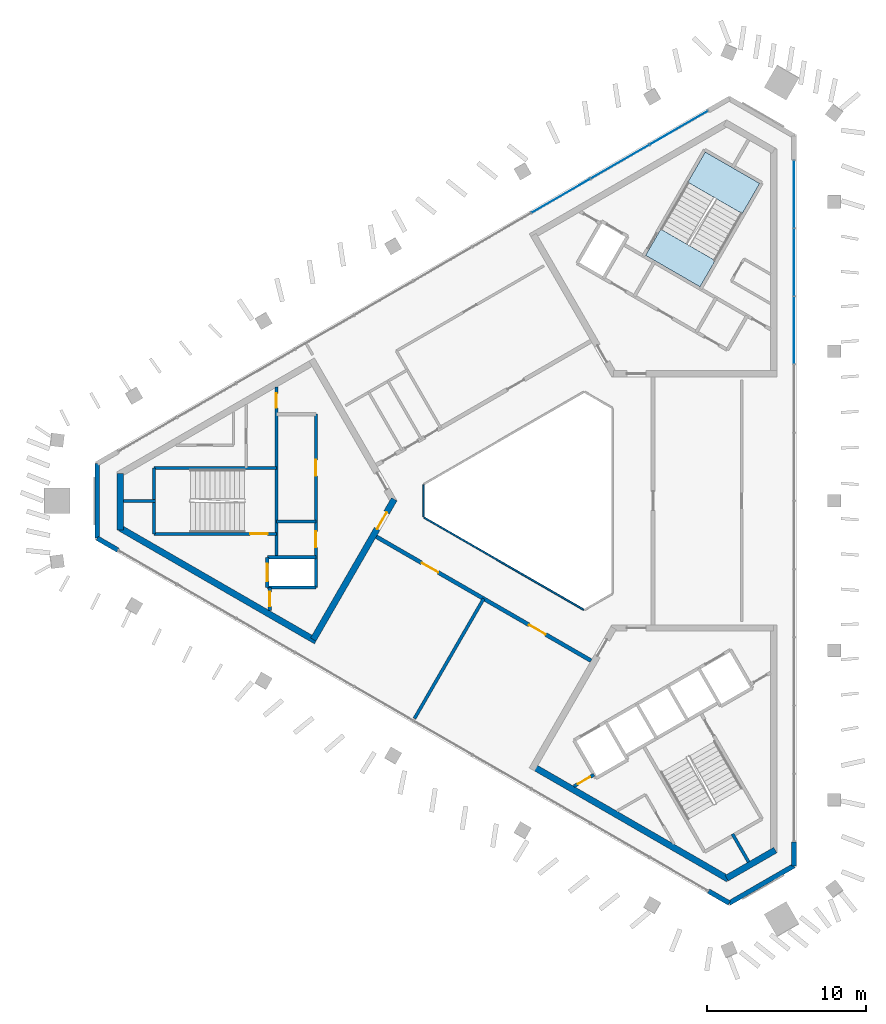
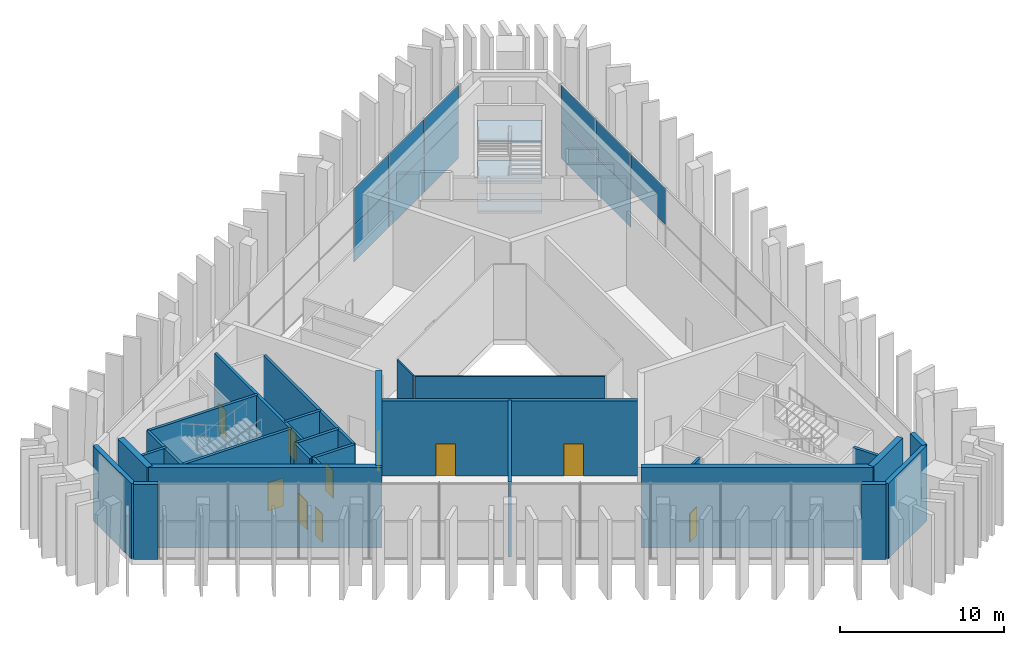
# One storey, part 7 of 12: 27 walls, 11 plates, 10 doors, 3 slabs, 10 openings, 3 elements without a shape of their own.
"""IFC4 building model written with IfcOpenShell, lengths in metres."""

from ifc_helpers import new_model, si_unit, direction, frame, frame_2d, origin, origin_2d, place, context, subcontext, project, spatial, polyline, rectangle, outline, extrude, material, layer, layer_set, type_object, element, fill, aggregate, save


model = new_model("IFC4")

# Units and contexts
model_context = context("Model", 3, precision=1e-05, world=origin(), true_north=direction((0.0, 1.0)))
body_context = subcontext(model_context, "Body", "Model", "MODEL_VIEW")
ifc_project = project(units=[si_unit("LENGTHUNIT", "METRE"), si_unit("AREAUNIT", "SQUARE_METRE"), si_unit("VOLUMEUNIT", "CUBIC_METRE"), si_unit("PLANEANGLEUNIT", "RADIAN"), si_unit("MASSUNIT", "GRAM", prefix="KILO")], contexts=[model_context])

# Site, building, storey
site_placement = place(None, origin())
site = spatial("IfcSite", under=ifc_project, at=site_placement, CompositionType="ELEMENT")
building_placement = place(site_placement, origin())
building = spatial("IfcBuilding", under=site, at=building_placement, Name="Jabali Bay Hotel Tower and Convention Centre", CompositionType="ELEMENT")
storey_placement = place(building_placement, frame((0.0, 0.0, 304.800048828125)))
storey = spatial("IfcBuildingStorey", under=building, at=storey_placement, Name="L75", CompositionType="ELEMENT", Elevation=304.800048828125)

# Curtain wall, plates
ifc_material_1 = material(Name="Aluminium and glass", Category="aluminium")
ifc_layer_1 = layer(ifc_material_1, 0.159912109375)
ifc_layer_set_1 = layer_set([ifc_layer_1], Name="Aluminium and glass")
curtain_wall_type = type_object("IfcCurtainWallType", Name="CW3 curtain wall", PredefinedType="NOTDEFINED", material=ifc_layer_set_1)
curtain_wall_1_placement = place(storey_placement, origin())
curtain_wall_1 = element("IfcCurtainWall", 1, at=curtain_wall_1_placement, inside=storey, type_object=curtain_wall_type, Name="CW3 curtain wall east face L75", PredefinedType="NOTDEFINED")
ifc_material_2 = material(Name="Glass", Category="glass")
ifc_layer_2 = layer(ifc_material_2, 0.028076171875)
ifc_layer_set_2 = layer_set([ifc_layer_2], Name="Glass")
plate_type = type_object("IfcPlateType", Name="CW3 glass panel 28", PredefinedType="CURTAIN_PANEL", material=ifc_layer_set_2)
plate_1_placement = place(storey_placement, frame((90.9521484375, 99.27880859375, 0.06005859375), z_axis=(0.0, 0.0, 1.0), x_axis=(0.0, -1.0, 0.0)))
plate_1 = element("IfcPlate", 2, at=plate_1_placement, type_object=plate_type, Name="CW3 panel 1.1", PredefinedType="CURTAIN_PANEL", context=body_context, shape_type="SweptSolid", body=[
    extrude(rectangle(XDim=4.197509765625, YDim=0.028076171875, at=origin_2d()), origin(), (0.0, 0.0, 1.0), 2.7099609375),
])
plate_2_placement = place(storey_placement, frame((90.9521484375, 99.27880859375, 2.830078125), z_axis=(0.0, 0.0, 1.0), x_axis=(0.0, -1.0, 0.0)))
plate_2 = element("IfcPlate", 3, at=plate_2_placement, type_object=plate_type, Name="CW3 panel 1.2", PredefinedType="CURTAIN_PANEL", context=body_context, shape_type="SweptSolid", body=[
    extrude(rectangle(XDim=4.197509765625, YDim=0.028076171875, at=origin_2d()), origin(), (0.0, 0.0, 1.0), 2.7099609375),
])
plate_3_placement = place(storey_placement, frame((90.9521484375, 95.00634765625, 0.06005859375), z_axis=(0.0, 0.0, 1.0), x_axis=(0.0, -1.0, 0.0)))
plate_3 = element("IfcPlate", 4, at=plate_3_placement, type_object=plate_type, Name="CW3 panel 2.1", PredefinedType="CURTAIN_PANEL", context=body_context, shape_type="SweptSolid", body=[
    extrude(rectangle(XDim=4.2275390625, YDim=0.028076171875, at=origin_2d()), origin(), (0.0, 0.0, 1.0), 2.7099609375),
])
plate_4_placement = place(storey_placement, frame((90.9521484375, 95.00634765625, 2.830078125), z_axis=(0.0, 0.0, 1.0), x_axis=(0.0, -1.0, 0.0)))
plate_4 = element("IfcPlate", 5, at=plate_4_placement, type_object=plate_type, Name="CW3 panel 2.2", PredefinedType="CURTAIN_PANEL", context=body_context, shape_type="SweptSolid", body=[
    extrude(rectangle(XDim=4.2275390625, YDim=0.028076171875, at=origin_2d()), origin(), (0.0, 0.0, 1.0), 2.7099609375),
])
plate_5_placement = place(storey_placement, frame((90.9521484375, 90.71875, 2.830078125), z_axis=(0.0, 0.0, 1.0), x_axis=(0.0, -1.0, 0.0)))
plate_5 = element("IfcPlate", 6, at=plate_5_placement, type_object=plate_type, Name="CW3 panel 3.2", PredefinedType="CURTAIN_PANEL", context=body_context, shape_type="SweptSolid", body=[
    extrude(rectangle(XDim=4.2275390625, YDim=0.028076171875, at=origin_2d()), origin(), (0.0, 0.0, 1.0), 2.7099609375),
])
aggregate(curtain_wall_1, [plate_1, plate_2, plate_3, plate_4, plate_5])

curtain_wall_2_placement = place(storey_placement, origin())
curtain_wall_2 = element("IfcCurtainWall", 7, at=curtain_wall_2_placement, inside=storey, type_object=curtain_wall_type, Name="CW3 curtain wall north-west face L75", PredefinedType="NOTDEFINED")
plate_6_placement = place(storey_placement, frame((76.306640625, 99.17431640625, 0.06005859375), z_axis=(0.0, 0.0, 1.0), x_axis=(0.866025396079, 0.500000013347, 0.0)))
plate_6 = element("IfcPlate", 8, at=plate_6_placement, type_object=plate_type, Name="CW3 panel 8.1", PredefinedType="CURTAIN_PANEL", context=body_context, shape_type="SweptSolid", body=[
    extrude(rectangle(XDim=4.2275390625, YDim=0.028076171875, at=origin_2d()), origin(), (0.0, 0.0, 1.0), 2.7099609375),
])
plate_7_placement = place(storey_placement, frame((76.306640625, 99.17431640625, 2.830078125), z_axis=(0.0, 0.0, 1.0), x_axis=(0.866025396079, 0.500000013347, 0.0)))
plate_7 = element("IfcPlate", 9, at=plate_7_placement, type_object=plate_type, Name="CW3 panel 8.2", PredefinedType="CURTAIN_PANEL", context=body_context, shape_type="SweptSolid", body=[
    extrude(rectangle(XDim=4.2275390625, YDim=0.028076171875, at=origin_2d()), origin(), (0.0, 0.0, 1.0), 2.7099609375),
])
plate_8_placement = place(storey_placement, frame((80.019775390625, 101.318115234375, 0.06005859375), z_axis=(0.0, 0.0, 1.0), x_axis=(0.866025396079, 0.500000013347, 0.0)))
plate_8 = element("IfcPlate", 10, at=plate_8_placement, type_object=plate_type, Name="CW3 panel 9.1", PredefinedType="CURTAIN_PANEL", context=body_context, shape_type="SweptSolid", body=[
    extrude(rectangle(XDim=4.2275390625, YDim=0.028076171875, at=origin_2d()), origin(), (0.0, 0.0, 1.0), 2.7099609375),
])
plate_9_placement = place(storey_placement, frame((80.019775390625, 101.318115234375, 2.830078125), z_axis=(0.0, 0.0, 1.0), x_axis=(0.866025396079, 0.500000013347, 0.0)))
plate_9 = element("IfcPlate", 11, at=plate_9_placement, type_object=plate_type, Name="CW3 panel 9.2", PredefinedType="CURTAIN_PANEL", context=body_context, shape_type="SweptSolid", body=[
    extrude(rectangle(XDim=4.2275390625, YDim=0.028076171875, at=origin_2d()), origin(), (0.0, 0.0, 1.0), 2.7099609375),
])
plate_10_placement = place(storey_placement, frame((83.719970703125, 103.454345703125, 0.06005859375), z_axis=(0.0, 0.0, 1.0), x_axis=(0.866025396079, 0.500000013347, 0.0)))
plate_10 = element("IfcPlate", 12, at=plate_10_placement, type_object=plate_type, Name="CW3 panel 10.1", PredefinedType="CURTAIN_PANEL", context=body_context, shape_type="SweptSolid", body=[
    extrude(rectangle(XDim=4.197509765625, YDim=0.028076171875, at=origin_2d()), origin(), (0.0, 0.0, 1.0), 2.7099609375),
])
plate_11_placement = place(storey_placement, frame((83.719970703125, 103.454345703125, 2.830078125), z_axis=(0.0, 0.0, 1.0), x_axis=(0.866025396079, 0.500000013347, 0.0)))
plate_11 = element("IfcPlate", 13, at=plate_11_placement, type_object=plate_type, Name="CW3 panel 10.2", PredefinedType="CURTAIN_PANEL", context=body_context, shape_type="SweptSolid", body=[
    extrude(rectangle(XDim=4.197509765625, YDim=0.028076171875, at=origin_2d()), origin(), (0.0, 0.0, 1.0), 2.7099609375),
])
aggregate(curtain_wall_2, [plate_6, plate_7, plate_8, plate_9, plate_10, plate_11])

# Stair, slabs
ifc_material_3 = material(Name="Concrete C40", Category="concrete")
stair_type = type_object("IfcStairType", Name="Exit stair 1900", PredefinedType="HALF_TURN_STAIR", material=ifc_material_3)
stair_placement = place(storey_placement, origin())
stair = element("IfcStair", 14, at=stair_placement, inside=storey, type_object=stair_type, Name="L75 Exit Stair 2", PredefinedType="HALF_TURN_STAIR")
ifc_layer_3 = layer(ifc_material_3, 0.199951171875)
ifc_layer_set_3 = layer_set([ifc_layer_3], Name="Concrete C40")
slab_type = type_object("IfcSlabType", Name="Stair landing 200", PredefinedType="LANDING", material=ifc_layer_set_3)
slab_1_placement = place(storey_placement, frame((0.0, 0.0, 1.300048828125)))
slab_1 = element("IfcSlab", 15, at=slab_1_placement, type_object=slab_type, Name="ST2 landing 1", PredefinedType="LANDING", context=body_context, shape_type="SweptSolid", body=[
    extrude(outline(polyline([(87.703857421875, 98.0537109375), (88.80029296875, 99.952880859375), (85.379638671875, 101.927978515625), (84.283203125, 100.02880859375), (87.703857421875, 98.0537109375)])), origin(), (0.0, 0.0, 1.0), 0.199951171875),
])
slab_2_placement = place(storey_placement, frame((0.0, 0.0, 2.800048828125)))
slab_2 = element("IfcSlab", 16, at=slab_2_placement, type_object=slab_type, Name="ST2 landing 2", PredefinedType="LANDING", context=body_context, shape_type="SweptSolid", body=[
    extrude(outline(polyline([(85.05029296875, 93.457763671875), (86.001953125, 95.10595703125), (82.5810546875, 97.080810546875), (81.629638671875, 95.432861328125), (85.05029296875, 93.457763671875)])), origin(), (0.0, 0.0, 1.0), 0.199951171875),
])
slab_3_placement = place(storey_placement, frame((0.0, 0.0, 4.300048828125)))
slab_3 = element("IfcSlab", 17, at=slab_3_placement, type_object=slab_type, Name="ST2 landing 3", PredefinedType="LANDING", context=body_context, shape_type="SweptSolid", body=[
    extrude(outline(polyline([(87.703857421875, 98.0537109375), (88.80029296875, 99.952880859375), (85.379638671875, 101.927978515625), (84.283203125, 100.02880859375), (87.703857421875, 98.0537109375)])), origin(), (0.0, 0.0, 1.0), 0.199951171875),
])
aggregate(stair, [slab_1, slab_2, slab_3])

# Walls
ifc_material_4 = material(Name="Fire-resistant glazing", Category="glass")
ifc_layer_4 = layer(ifc_material_4, 0.10009765625)
ifc_layer_set_4 = layer_set([ifc_layer_4], Name="Fire-resistant glazing")
wall_type_1 = type_object("IfcWallType", Name="Atrium glazed screen 100", PredefinedType="PARTITIONING", material=ifc_layer_set_4)
wall_1_placement = place(storey_placement, frame((67.672119140625, 81.0, 0.0), z_axis=(0.0, 0.0, 1.0), x_axis=(0.0, -1.0, 0.0)))
element("IfcWall", 18, at=wall_1_placement, inside=storey, type_object=wall_type_1, Name="Atrium screen 4 L75", PredefinedType="PARTITIONING", context=body_context, shape_type="SweptSolid", body=[
    extrude(rectangle(XDim=2.0, YDim=0.10009765625, at=frame_2d((1.0, 0.0))), origin(), (0.0, 0.0, 1.0), 5.599853515625),
])
wall_2_placement = place(storey_placement, frame((67.7021484375, 78.947998046875, 0.0), z_axis=(0.0, 0.0, 1.0), x_axis=(0.866026658274, -0.499997827154, 0.0)))
element("IfcWall", 19, at=wall_2_placement, inside=storey, type_object=wall_type_1, Name="Atrium screen 5 L75", PredefinedType="PARTITIONING", context=body_context, shape_type="SweptSolid", body=[
    extrude(rectangle(XDim=11.58837890625, YDim=0.10009765625, at=frame_2d((5.794189453125, 0.0))), origin(), (0.0, 0.0, 1.0), 5.599853515625),
])
ifc_layer_5 = layer(ifc_material_3, 0.199951171875)
ifc_layer_set_5 = layer_set([ifc_layer_5], Name="Concrete C40")
wall_type_2 = type_object("IfcWallType", Name="Core partition wall 200", PredefinedType="PARTITIONING", material=ifc_layer_set_5)
wall_3_placement = place(storey_placement, frame((50.820068359375, 80.0, 0.0), z_axis=(0.0, 0.0, 1.0), x_axis=(-1.0, 0.0, 0.0)))
element("IfcWall", 20, at=wall_3_placement, inside=storey, type_object=wall_type_2, Name="Core wall 0.3 L75", PredefinedType="PARTITIONING", context=body_context, shape_type="SweptSolid", body=[
    extrude(rectangle(XDim=2.023193359375, YDim=0.199951171875, at=frame_2d((1.01171875, 0.0))), origin(), (0.0, 0.0, 1.0), 5.599853515625),
])

# Wall, opening, door
wall_4_placement = place(storey_placement, frame((58.0, 74.550048828125, 0.0), z_axis=(0.0, 0.0, 1.0), x_axis=(0.0, -1.0, 0.0)))
wall_4 = element("IfcWall", 21, at=wall_4_placement, inside=storey, type_object=wall_type_2, Name="Core wall 0.10 L75", PredefinedType="PARTITIONING", context=body_context, shape_type="SweptSolid", body=[
    extrude(rectangle(XDim=1.455078125, YDim=0.199951171875, at=frame_2d((0.7275390625, 0.0))), origin(), (0.0, 0.0, 1.0), 5.599853515625),
])
opening_1_placement = place(wall_4_placement, frame((0.277587890625, 0.0, 0.0)))
opening_1 = element("IfcOpeningElement", 22, at=opening_1_placement, cuts=wall_4, Name="Opening D1665", PredefinedType="OPENING", context=body_context, shape_type="SweptSolid", body=[
    extrude(rectangle(XDim=0.89990234375, YDim=2.10009765625, at=frame_2d((0.449951171875, 1.050048828125))), frame((0.0, 0.1103515625, 0.0), z_axis=(0.0, -1.0, 0.0), x_axis=(1.0, 0.0, 0.0)), (0.0, 0.0, 1.0), 0.220947265625),
])
ifc_material_5 = material(Name="Fire-rated steel door", Category="steel")
door_type_1 = type_object("IfcDoorType", Name="Vestibule fire door 900 x 2100", OperationType="NOTDEFINED", PredefinedType="NOTDEFINED", material=ifc_material_5)
door_1_placement = place(opening_1_placement, origin())
door_1 = element("IfcDoor", 23, at=door_1_placement, inside=storey, type_object=door_type_1, Name="Vestibule fire door D1665", OperationType="SINGLE_SWING_LEFT", OverallHeight=2.10009765625, OverallWidth=0.89990234375, PredefinedType="NOTDEFINED", context=body_context, shape_type="SweptSolid", body=[
    extrude(rectangle(XDim=0.89990234375, YDim=2.10009765625, at=frame_2d((0.449951171875, 1.050048828125))), frame((0.0, 0.02490234375, 0.0), z_axis=(0.0, -1.0, 0.0), x_axis=(1.0, 0.0, 0.0)), (0.0, 0.0, 1.0), 0.050048828125),
])
fill(opening_1, door_1)

# Wall
wall_5_placement = place(storey_placement, frame((87.090087890625, 59.0595703125, 0.0), z_axis=(0.0, 0.0, 1.0), x_axis=(0.499941815747, -0.866058993873, 0.0)))
element("IfcWall", 24, at=wall_5_placement, inside=storey, type_object=wall_type_2, Name="Core wall 2.5 L75", PredefinedType="PARTITIONING", context=body_context, shape_type="SweptSolid", body=[
    extrude(rectangle(XDim=2.023193359375, YDim=0.199951171875, at=frame_2d((1.01171875, 0.0))), origin(), (0.0, 0.0, 1.0), 5.599853515625),
])

# Wall, opening, door
wall_6_placement = place(storey_placement, frame((77.119873046875, 62.055908203125, 0.0), z_axis=(0.0, 0.0, 1.0), x_axis=(0.866054810376, 0.49994906283, 0.0)))
wall_6 = element("IfcWall", 25, at=wall_6_placement, inside=storey, type_object=wall_type_2, Name="Core wall 2.12 L75", PredefinedType="PARTITIONING", context=body_context, shape_type="SweptSolid", body=[
    extrude(rectangle(XDim=1.461181640625, YDim=0.199951171875, at=frame_2d((0.73046875, 0.0))), origin(), (0.0, 0.0, 1.0), 5.599853515625),
])
opening_2_placement = place(wall_6_placement, frame((0.280517578125, 0.0, 0.0)))
opening_2 = element("IfcOpeningElement", 26, at=opening_2_placement, cuts=wall_6, Name="Opening D1681", PredefinedType="OPENING", context=body_context, shape_type="SweptSolid", body=[
    extrude(rectangle(XDim=0.89990234375, YDim=2.10009765625, at=frame_2d((0.449951171875, 1.050048828125))), frame((0.0, 0.1103515625, 0.0), z_axis=(0.0, -1.0, 0.0), x_axis=(1.0, 0.0, 0.0)), (0.0, 0.0, 1.0), 0.220947265625),
])
door_2_placement = place(opening_2_placement, origin())
door_2 = element("IfcDoor", 27, at=door_2_placement, inside=storey, type_object=door_type_1, Name="Vestibule fire door D1681", OperationType="SINGLE_SWING_LEFT", OverallHeight=2.10009765625, OverallWidth=0.89990234375, PredefinedType="NOTDEFINED", context=body_context, shape_type="SweptSolid", body=[
    extrude(rectangle(XDim=0.89990234375, YDim=2.10009765625, at=frame_2d((0.449951171875, 1.050048828125))), frame((0.0, 0.02490234375, 0.0), z_axis=(0.0, -1.0, 0.0), x_axis=(1.0, 0.0, 0.0)), (0.0, 0.0, 1.0), 0.050048828125),
])
fill(opening_2, door_2)

# Walls
ifc_layer_6 = layer(ifc_material_3, 0.199951171875)
ifc_layer_set_6 = layer_set([ifc_layer_6], Name="Concrete C40")
wall_type_3 = type_object("IfcWallType", Name="Core stair wall 200", PredefinedType="SOLIDWALL", material=ifc_layer_set_6)
wall_7_placement = place(storey_placement, frame((58.419921875, 82.074951171875, 0.0), z_axis=(0.0, 0.0, 1.0), x_axis=(-1.0, 0.0, 0.0)))
element("IfcWall", 28, at=wall_7_placement, inside=storey, type_object=wall_type_3, Name="Core wall 0.2 L75", PredefinedType="SOLIDWALL", context=body_context, shape_type="SweptSolid", body=[
    extrude(rectangle(XDim=7.699951171875, YDim=0.199951171875, at=frame_2d((3.85009765625, 0.0))), origin(), (0.0, 0.0, 1.0), 5.599853515625),
])
wall_8_placement = place(storey_placement, frame((60.89990234375, 78.699951171875, 0.0), z_axis=(0.0, 0.0, 1.0), x_axis=(-1.0, 0.0, 0.0)))
element("IfcWall", 29, at=wall_8_placement, inside=storey, type_object=wall_type_3, Name="Core wall 0.4 L75", PredefinedType="SOLIDWALL", context=body_context, shape_type="SweptSolid", body=[
    extrude(rectangle(XDim=2.47998046875, YDim=0.199951171875, at=frame_2d((1.239990234375, 0.0))), origin(), (0.0, 0.0, 1.0), 5.599853515625),
])

# Wall, opening, door
wall_9_placement = place(storey_placement, frame((58.419921875, 77.925048828125, 0.0), z_axis=(0.0, 0.0, 1.0), x_axis=(-1.0, 0.0, 0.0)))
wall_9 = element("IfcWall", 30, at=wall_9_placement, inside=storey, type_object=wall_type_3, Name="Core wall 0.5 L75", PredefinedType="SOLIDWALL", context=body_context, shape_type="SweptSolid", body=[
    extrude(rectangle(XDim=7.699951171875, YDim=0.199951171875, at=frame_2d((3.85009765625, 0.0))), origin(), (0.0, 0.0, 1.0), 5.599853515625),
])
opening_3_placement = place(wall_9_placement, frame((0.550048828125, 0.0, 0.0)))
opening_3 = element("IfcOpeningElement", 31, at=opening_3_placement, cuts=wall_9, Name="Opening D1667", PredefinedType="OPENING", context=body_context, shape_type="SweptSolid", body=[
    extrude(rectangle(XDim=1.10009765625, YDim=2.10009765625, at=frame_2d((0.550048828125, 1.050048828125))), frame((0.0, 0.1103515625, 0.0), z_axis=(0.0, -1.0, 0.0), x_axis=(1.0, 0.0, 0.0)), (0.0, 0.0, 1.0), 0.220947265625),
])
door_type_2 = type_object("IfcDoorType", Name="Stair fire door 1100 x 2100", OperationType="NOTDEFINED", PredefinedType="NOTDEFINED", material=ifc_material_5)
door_3_placement = place(opening_3_placement, origin())
door_3 = element("IfcDoor", 32, at=door_3_placement, inside=storey, type_object=door_type_2, Name="Stair fire door D1667", OperationType="SINGLE_SWING_RIGHT", OverallHeight=2.10009765625, OverallWidth=1.10009765625, PredefinedType="NOTDEFINED", context=body_context, shape_type="SweptSolid", body=[
    extrude(rectangle(XDim=1.10009765625, YDim=2.10009765625, at=frame_2d((0.550048828125, 1.050048828125))), frame((0.0, 0.02490234375, 0.0), z_axis=(0.0, -1.0, 0.0), x_axis=(1.0, 0.0, 0.0)), (0.0, 0.0, 1.0), 0.050048828125),
])
fill(opening_3, door_3)

# Walls
for number, where, z_axis, x_axis, name in (
    (33, (60.89990234375, 76.449951171875, 0.0), (0.0, 0.0, 1.0), (-1.0, 0.0, 0.0), "Core wall 0.6 L75"),
    (34, (60.89990234375, 74.550048828125, 0.0), (0.0, 0.0, 1.0), (-1.0, 0.0, 0.0), "Core wall 0.7 L75"),
):
    element("IfcWall", number, at=place(storey_placement, frame(where, z_axis=z_axis, x_axis=x_axis)), inside=storey, type_object=wall_type_3, Name=name, PredefinedType="SOLIDWALL", context=body_context, shape_type="SweptSolid", body=[
        extrude(rectangle(XDim=3.0498046875, YDim=0.199951171875, at=frame_2d((1.52490234375, 0.0))), origin(), (0.0, 0.0, 1.0), 5.599853515625),
    ])

# Wall, openings, doors
wall_10_placement = place(storey_placement, frame((60.89990234375, 85.449951171875, 0.0), z_axis=(0.0, 0.0, 1.0), x_axis=(0.0, -1.0, 0.0)))
wall_10 = element("IfcWall", 35, at=wall_10_placement, inside=storey, type_object=wall_type_3, Name="Core wall 0.8 L75", PredefinedType="SOLIDWALL", context=body_context, shape_type="SweptSolid", body=[
    extrude(rectangle(XDim=10.89990234375, YDim=0.199951171875, at=frame_2d((5.449951171875, 0.0))), origin(), (0.0, 0.0, 1.0), 5.599853515625),
])
opening_4_placement = place(wall_10_placement, frame((2.875, 0.0, 0.0)))
opening_4 = element("IfcOpeningElement", 36, at=opening_4_placement, cuts=wall_10, Name="Opening D1662", PredefinedType="OPENING", context=body_context, shape_type="SweptSolid", body=[
    extrude(rectangle(XDim=1.0, YDim=2.10009765625, at=frame_2d((0.5, 1.050048828125))), frame((0.0, 0.1103515625, 0.0), z_axis=(0.0, -1.0, 0.0), x_axis=(1.0, 0.0, 0.0)), (0.0, 0.0, 1.0), 0.220947265625),
])
opening_5_placement = place(wall_10_placement, frame((7.375, 0.0, 0.0)))
opening_5 = element("IfcOpeningElement", 37, at=opening_5_placement, cuts=wall_10, Name="Opening D1663", PredefinedType="OPENING", context=body_context, shape_type="SweptSolid", body=[
    extrude(rectangle(XDim=1.0, YDim=2.10009765625, at=frame_2d((0.5, 1.050048828125))), frame((0.0, 0.1103515625, 0.0), z_axis=(0.0, -1.0, 0.0), x_axis=(1.0, 0.0, 0.0)), (0.0, 0.0, 1.0), 0.220947265625),
])
door_type_3 = type_object("IfcDoorType", Name="Core room door 1000 x 2100", OperationType="NOTDEFINED", PredefinedType="NOTDEFINED", material=ifc_material_5)
door_4_placement = place(opening_4_placement, origin())
door_4 = element("IfcDoor", 38, at=door_4_placement, inside=storey, type_object=door_type_3, Name="Core room door D1662", OperationType="SINGLE_SWING_RIGHT", OverallHeight=2.10009765625, OverallWidth=1.0, PredefinedType="NOTDEFINED", context=body_context, shape_type="SweptSolid", body=[
    extrude(rectangle(XDim=1.0, YDim=2.10009765625, at=frame_2d((0.5, 1.050048828125))), frame((0.0, 0.02490234375, 0.0), z_axis=(0.0, -1.0, 0.0), x_axis=(1.0, 0.0, 0.0)), (0.0, 0.0, 1.0), 0.050048828125),
])
fill(opening_4, door_4)
door_5_placement = place(opening_5_placement, origin())
door_5 = element("IfcDoor", 39, at=door_5_placement, inside=storey, type_object=door_type_3, Name="Core room door D1663", OperationType="SINGLE_SWING_RIGHT", OverallHeight=2.10009765625, OverallWidth=1.0, PredefinedType="NOTDEFINED", context=body_context, shape_type="SweptSolid", body=[
    extrude(rectangle(XDim=1.0, YDim=2.10009765625, at=frame_2d((0.5, 1.050048828125))), frame((0.0, 0.02490234375, 0.0), z_axis=(0.0, -1.0, 0.0), x_axis=(1.0, 0.0, 0.0)), (0.0, 0.0, 1.0), 0.050048828125),
])
fill(opening_5, door_5)

# Wall, opening, door
wall_11_placement = place(storey_placement, frame((58.419921875, 87.147705078125, 0.0), z_axis=(0.0, 0.0, 1.0), x_axis=(0.0, -1.0, 0.0)))
wall_11 = element("IfcWall", 40, at=wall_11_placement, inside=storey, type_object=wall_type_3, Name="Core wall 0.9 L75", PredefinedType="SOLIDWALL", context=body_context, shape_type="SweptSolid", body=[
    extrude(rectangle(XDim=10.69775390625, YDim=0.199951171875, at=frame_2d((5.348876953125, 0.0))), origin(), (0.0, 0.0, 1.0), 5.599853515625),
])
opening_6_placement = place(wall_11_placement, frame((0.398681640625, 0.0, 0.0)))
opening_6 = element("IfcOpeningElement", 41, at=opening_6_placement, cuts=wall_11, Name="Opening D1666", PredefinedType="OPENING", context=body_context, shape_type="SweptSolid", body=[
    extrude(rectangle(XDim=0.89990234375, YDim=2.10009765625, at=frame_2d((0.449951171875, 1.050048828125))), frame((0.0, 0.1103515625, 0.0), z_axis=(0.0, -1.0, 0.0), x_axis=(1.0, 0.0, 0.0)), (0.0, 0.0, 1.0), 0.220947265625),
])
door_6_placement = place(opening_6_placement, origin())
door_6 = element("IfcDoor", 42, at=door_6_placement, inside=storey, type_object=door_type_1, Name="Vestibule fire door D1666", OperationType="SINGLE_SWING_LEFT", OverallHeight=2.10009765625, OverallWidth=0.89990234375, PredefinedType="NOTDEFINED", context=body_context, shape_type="SweptSolid", body=[
    extrude(rectangle(XDim=0.89990234375, YDim=2.10009765625, at=frame_2d((0.449951171875, 1.050048828125))), frame((0.0, 0.02490234375, 0.0), z_axis=(0.0, -1.0, 0.0), x_axis=(1.0, 0.0, 0.0)), (0.0, 0.0, 1.0), 0.050048828125),
])
fill(opening_6, door_6)

wall_12_placement = place(storey_placement, frame((57.85009765625, 76.449951171875, 0.0), z_axis=(0.0, 0.0, 1.0), x_axis=(0.0, -1.0, 0.0)))
wall_12 = element("IfcWall", 43, at=wall_12_placement, inside=storey, type_object=wall_type_3, Name="Core wall 0.11 L75", PredefinedType="SOLIDWALL", context=body_context, shape_type="SweptSolid", body=[
    extrude(rectangle(XDim=1.89990234375, YDim=0.199951171875, at=frame_2d((0.949951171875, 0.0))), origin(), (0.0, 0.0, 1.0), 5.599853515625),
])
opening_7_placement = place(wall_12_placement, frame((0.39990234375, 0.0, 0.0)))
opening_7 = element("IfcOpeningElement", 44, at=opening_7_placement, cuts=wall_12, Name="Opening LD5-L75", PredefinedType="OPENING", context=body_context, shape_type="SweptSolid", body=[
    extrude(rectangle(XDim=1.10009765625, YDim=2.10009765625, at=frame_2d((0.550048828125, 1.050048828125))), frame((0.0, 0.1103515625, 0.0), z_axis=(0.0, -1.0, 0.0), x_axis=(1.0, 0.0, 0.0)), (0.0, 0.0, 1.0), 0.220947265625),
])
ifc_material_6 = material(Name="Stainless steel landing door", Category="steel")
door_type_4 = type_object("IfcDoorType", Name="Landing door 1100 x 2100", OperationType="NOTDEFINED", PredefinedType="NOTDEFINED", material=ifc_material_6)
door_7_placement = place(opening_7_placement, origin())
door_7 = element("IfcDoor", 45, at=door_7_placement, inside=storey, type_object=door_type_4, Name="Landing doors LD5-L75", OperationType="SLIDING_TO_RIGHT", OverallHeight=2.10009765625, OverallWidth=1.10009765625, PredefinedType="NOTDEFINED", context=body_context, shape_type="SweptSolid", body=[
    extrude(rectangle(XDim=1.10009765625, YDim=2.10009765625, at=frame_2d((0.550048828125, 1.050048828125))), frame((0.0, 0.02490234375, 0.0), z_axis=(0.0, -1.0, 0.0), x_axis=(1.0, 0.0, 0.0)), (0.0, 0.0, 1.0), 0.050048828125),
])
fill(opening_7, door_7)

# Walls
wall_13_placement = place(storey_placement, frame((50.719970703125, 82.074951171875, 0.0), z_axis=(0.0, 0.0, 1.0), x_axis=(0.0, -1.0, 0.0)))
element("IfcWall", 46, at=wall_13_placement, inside=storey, type_object=wall_type_3, Name="Core wall 0.14 L75", PredefinedType="SOLIDWALL", context=body_context, shape_type="SweptSolid", body=[
    extrude(rectangle(XDim=4.14990234375, YDim=0.199951171875, at=frame_2d((2.074951171875, 0.0))), origin(), (0.0, 0.0, 1.0), 5.599853515625),
])
ifc_material_7 = material(Name="Concrete C60", Category="concrete")
ifc_layer_7 = layer(ifc_material_7, 0.39990234375)
ifc_layer_set_7 = layer_set([ifc_layer_7], Name="Concrete C60")
wall_type_4 = type_object("IfcWallType", Name="Core wall 400", PredefinedType="SHEAR", material=ifc_layer_set_7)
wall_14_placement = place(storey_placement, frame((48.596923828125, 81.707275390625, 0.0), z_axis=(0.0, 0.0, 1.0), x_axis=(0.0, -1.0, 0.0)))
element("IfcWall", 47, at=wall_14_placement, inside=storey, type_object=wall_type_4, Name="Core wall 1.3 L75", PredefinedType="SHEAR", context=body_context, shape_type="SweptSolid", body=[
    extrude(rectangle(XDim=3.530029296875, YDim=0.39990234375, at=frame_2d((1.76513671875, 0.0))), origin(), (0.0, 0.0, 1.0), 6.0),
])
wall_15_placement = place(storey_placement, frame((48.596923828125, 78.292724609375, 0.0), z_axis=(0.0, 0.0, 1.0), x_axis=(0.866026024469, -0.499998924941, 0.0)))
element("IfcWall", 48, at=wall_15_placement, inside=storey, type_object=wall_type_4, Name="Core wall 1.4 L75", PredefinedType="SHEAR", context=body_context, shape_type="SweptSolid", body=[
    extrude(rectangle(XDim=14.2177734375, YDim=0.39990234375, at=frame_2d((7.10888671875, 0.0))), origin(), (0.0, 0.0, 1.0), 6.0),
])

# Wall, opening, door
wall_16_placement = place(storey_placement, frame((60.73681640625, 71.283935546875, 0.0), z_axis=(0.0, 0.0, 1.0), x_axis=(0.50000547566, 0.866022242388, 0.0)))
wall_16 = element("IfcWall", 49, at=wall_16_placement, inside=storey, type_object=wall_type_4, Name="Core wall 1.5 L75", PredefinedType="SHEAR", context=body_context, shape_type="SweptSolid", body=[
    extrude(rectangle(XDim=10.18017578125, YDim=0.39990234375, at=frame_2d((5.090087890625, 0.0))), origin(), (0.0, 0.0, 1.0), 6.0),
])
opening_8_placement = place(wall_16_placement, frame((8.030029296875, 0.0, 0.0)))
opening_8 = element("IfcOpeningElement", 50, at=opening_8_placement, cuts=wall_16, Name="Opening D1661", PredefinedType="OPENING", context=body_context, shape_type="SweptSolid", body=[
    extrude(rectangle(XDim=1.199951171875, YDim=2.10009765625, at=frame_2d((0.60009765625, 1.050048828125))), frame((0.0, 0.21044921875, 0.0), z_axis=(0.0, -1.0, 0.0), x_axis=(1.0, 0.0, 0.0)), (0.0, 0.0, 1.0), 0.4208984375),
])
door_type_5 = type_object("IfcDoorType", Name="Corridor end fire door 1200 x 2100", OperationType="NOTDEFINED", PredefinedType="NOTDEFINED", material=ifc_material_5)
door_8_placement = place(opening_8_placement, origin())
door_8 = element("IfcDoor", 51, at=door_8_placement, inside=storey, type_object=door_type_5, Name="Corridor end fire door D1661", OperationType="SINGLE_SWING_LEFT", OverallHeight=2.10009765625, OverallWidth=1.199951171875, PredefinedType="NOTDEFINED", context=body_context, shape_type="SweptSolid", body=[
    extrude(rectangle(XDim=1.199951171875, YDim=2.10009765625, at=frame_2d((0.60009765625, 1.050048828125))), frame((0.0, 0.02490234375, 0.0), z_axis=(0.0, -1.0, 0.0), x_axis=(1.0, 0.0, 0.0)), (0.0, 0.0, 1.0), 0.050048828125),
])
fill(opening_8, door_8)

# Walls
wall_17_placement = place(storey_placement, frame((74.583251953125, 63.28955078125, 0.0), z_axis=(0.0, 0.0, 1.0), x_axis=(0.866024494188, -0.500001575463, 0.0)))
element("IfcWall", 52, at=wall_17_placement, inside=storey, type_object=wall_type_4, Name="Core wall 3.2 L75", PredefinedType="SHEAR", context=body_context, shape_type="SweptSolid", body=[
    extrude(rectangle(XDim=14.13330078125, YDim=0.39990234375, at=frame_2d((7.066650390625, 0.0))), origin(), (0.0, 0.0, 1.0), 6.0),
])
wall_18_placement = place(storey_placement, frame((86.72314453125, 56.28076171875, 0.0), z_axis=(0.0, 0.0, 1.0), x_axis=(0.866025485263, 0.499999858875, 0.0)))
element("IfcWall", 53, at=wall_18_placement, inside=storey, type_object=wall_type_4, Name="Core wall 3.3 L75", PredefinedType="SHEAR", context=body_context, shape_type="SweptSolid", body=[
    extrude(rectangle(XDim=3.52978515625, YDim=0.39990234375, at=frame_2d((1.764892578125, 0.0))), origin(), (0.0, 0.0, 1.0), 6.0),
])

# Wall, openings, doors
ifc_layer_8 = layer(ifc_material_7, 0.25)
ifc_layer_set_8 = layer_set([ifc_layer_8], Name="Concrete C60")
wall_type_5 = type_object("IfcWallType", Name="Corridor wall 250", PredefinedType="SHEAR", material=ifc_layer_set_8)
wall_19_placement = place(storey_placement, frame((64.699951171875, 77.748291015625, 0.0), z_axis=(0.0, 0.0, 1.0), x_axis=(0.866026492143, -0.499998114903, 0.0)))
wall_19 = element("IfcWall", 54, at=wall_19_placement, inside=storey, type_object=wall_type_5, Name="Corridor wall 3 L75", PredefinedType="SHEAR", context=body_context, shape_type="SweptSolid", body=[
    extrude(rectangle(XDim=15.58837890625, YDim=0.25, at=frame_2d((7.794189453125, 0.0))), origin(), (0.0, 0.0, 1.0), 5.599853515625),
])
opening_9_placement = place(wall_19_placement, frame((3.297119140625, 0.0, 0.0)))
opening_9 = element("IfcOpeningElement", 55, at=opening_9_placement, cuts=wall_19, Name="Opening 7508", PredefinedType="OPENING", context=body_context, shape_type="SweptSolid", body=[
    extrude(rectangle(XDim=1.199951171875, YDim=2.39990234375, at=frame_2d((0.60009765625, 1.199951171875))), frame((0.0, 0.135498046875, 0.0), z_axis=(0.0, -1.0, 0.0), x_axis=(1.0, 0.0, 0.0)), (0.0, 0.0, 1.0), 0.27099609375),
])
opening_10_placement = place(wall_19_placement, frame((11.09130859375, 0.0, 0.0)))
opening_10 = element("IfcOpeningElement", 56, at=opening_10_placement, cuts=wall_19, Name="Opening 7509", PredefinedType="OPENING", context=body_context, shape_type="SweptSolid", body=[
    extrude(rectangle(XDim=1.199951171875, YDim=2.39990234375, at=frame_2d((0.60009765625, 1.199951171875))), frame((0.0, 0.135498046875, 0.0), z_axis=(0.0, -1.0, 0.0), x_axis=(1.0, 0.0, 0.0)), (0.0, 0.0, 1.0), 0.27099609375),
])
ifc_material_8 = material(Name="Timber", Category="wood")
door_type_6 = type_object("IfcDoorType", Name="Public room door 1200 x 2400", OperationType="NOTDEFINED", PredefinedType="NOTDEFINED", material=ifc_material_8)
door_9_placement = place(opening_9_placement, origin())
door_9 = element("IfcDoor", 57, at=door_9_placement, inside=storey, type_object=door_type_6, Name="Door 7508", OperationType="SINGLE_SWING_LEFT", OverallHeight=2.39990234375, OverallWidth=1.199951171875, PredefinedType="NOTDEFINED", context=body_context, shape_type="SweptSolid", body=[
    extrude(rectangle(XDim=1.199951171875, YDim=2.39990234375, at=frame_2d((0.60009765625, 1.199951171875))), frame((0.0, 0.02490234375, 0.0), z_axis=(0.0, -1.0, 0.0), x_axis=(1.0, 0.0, 0.0)), (0.0, 0.0, 1.0), 0.050048828125),
])
fill(opening_9, door_9)
door_10_placement = place(opening_10_placement, origin())
door_10 = element("IfcDoor", 58, at=door_10_placement, inside=storey, type_object=door_type_6, Name="Door 7509", OperationType="SINGLE_SWING_RIGHT", OverallHeight=2.39990234375, OverallWidth=1.199951171875, PredefinedType="NOTDEFINED", context=body_context, shape_type="SweptSolid", body=[
    extrude(rectangle(XDim=1.199951171875, YDim=2.39990234375, at=frame_2d((0.60009765625, 1.199951171875))), frame((0.0, 0.02490234375, 0.0), z_axis=(0.0, -1.0, 0.0), x_axis=(1.0, 0.0, 0.0)), (0.0, 0.0, 1.0), 0.050048828125),
])
fill(opening_10, door_10)

# Walls
ifc_layer_9 = layer(ifc_material_3, 0.300048828125)
ifc_layer_set_9 = layer_set([ifc_layer_9], Name="Concrete C40")
wall_type_6 = type_object("IfcWallType", Name="External wall 300", PredefinedType="SOLIDWALL", material=ifc_layer_set_9)
for number, where, z_axis, x_axis, name in (
    (59, (47.159423828125, 77.65380859375, 0.0), (0.0, 0.0, 1.0), (0.0, 1.0, 0.0), "External wall west chamfer L75"),
    (60, (90.9521484375, 57.0625, 0.0), (0.0, 0.0, 1.0), (-0.866025296335, -0.500000186108, 0.0), "External wall south-east chamfer L75"),
):
    element("IfcWall", number, at=place(storey_placement, frame(where, z_axis=z_axis, x_axis=x_axis)), inside=storey, type_object=wall_type_6, Name=name, PredefinedType="SOLIDWALL", context=body_context, shape_type="SweptSolid", body=[
        extrude(rectangle(XDim=4.6923828125, YDim=0.300048828125, at=frame_2d((2.34619140625, 0.0))), origin(), (0.0, 0.0, 1.0), 5.599853515625),
    ])
for number, where, z_axis, x_axis, name in (
    (61, (90.9521484375, 58.5625, 0.0), (0.0, 0.0, 1.0), (0.0, -1.0, 0.0), "External wall east face L75"),
    (62, (48.45849609375, 76.90380859375, 0.0), (0.0, 0.0, 1.0), (-0.866031096941, 0.499990139034, 0.0), "External wall south-west face L75"),
    (63, (86.888427734375, 54.71630859375, 0.0), (0.0, 0.0, 1.0), (-0.866031096941, 0.499990139034, 0.0), "External wall south-west face L75"),
):
    element("IfcWall", number, at=place(storey_placement, frame(where, z_axis=z_axis, x_axis=x_axis)), inside=storey, type_object=wall_type_6, Name=name, PredefinedType="SOLIDWALL", context=body_context, shape_type="SweptSolid", body=[
        extrude(rectangle(XDim=1.5, YDim=0.300048828125, at=frame_2d((0.75, 0.0))), origin(), (0.0, 0.0, 1.0), 5.599853515625),
    ])
ifc_material_9 = material(Name="Plasterboard on steel stud", Category="steel")
ifc_layer_10 = layer(ifc_material_9, 0.199951171875)
ifc_layer_set_10 = layer_set([ifc_layer_10], Name="Plasterboard on steel stud")
wall_type_7 = type_object("IfcWallType", Name="Partition 200 party", PredefinedType="PARTITIONING", material=ifc_layer_set_10)
wall_20_placement = place(storey_placement, frame((67.098388671875, 66.314208984375, 0.0), z_axis=(0.0, 0.0, 1.0), x_axis=(0.500000893942, 0.866024887666, 0.0)))
element("IfcWall", 64, at=wall_20_placement, inside=storey, type_object=wall_type_7, Name="Partition P01 L75 008", PredefinedType="PARTITIONING", context=body_context, shape_type="SweptSolid", body=[
    extrude(rectangle(XDim=8.703125, YDim=0.199951171875, at=frame_2d((4.3515625, 0.0))), origin(), (0.0, 0.0, 1.0), 5.599853515625),
])

save(model, "model.ifc")
